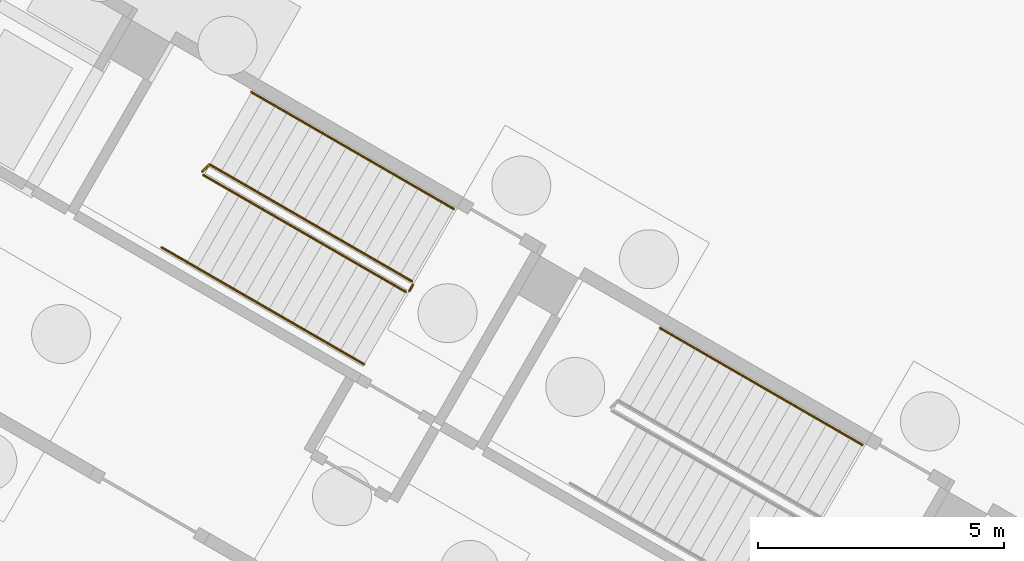
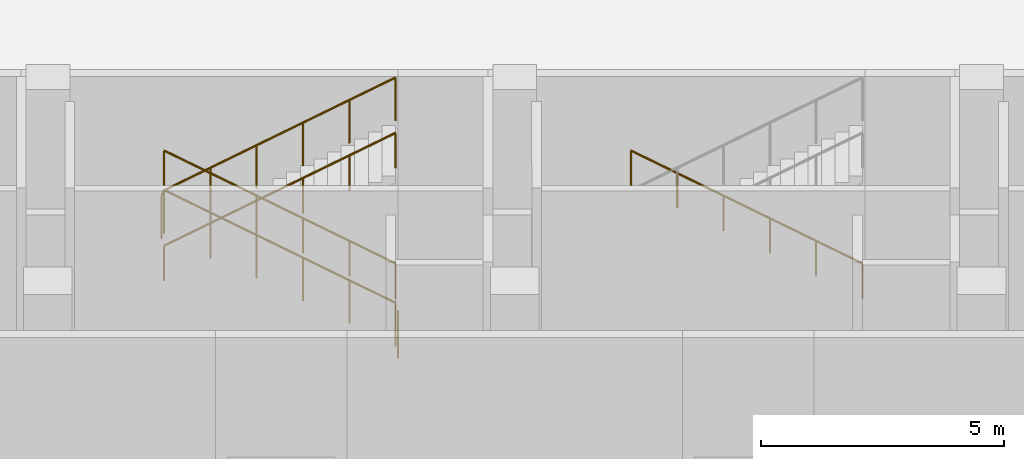
# One storey, part 36 of 38: 6 railings.
"""IFC4 building model written with IfcOpenShell, lengths in metres."""

import ifcopenshell
import ifcopenshell.guid

model = None  # the IFC model being written
_history = None  # IfcOwnerHistory: only IFC2X3 demands one
_inside = {}  # id of a spatial element -> (the spatial element, [elements in it])
_under = {}  # id of a project, library or spatial element -> (it, [spatial elements below it])
_declared = {}  # id of a project -> (the project, [libraries it declares])
_typed = {}  # id of a type object -> (the type object, [elements of that type])
_made_of = {}  # id of a material, layer set ... -> (it, [elements and type objects made of it])


def new_model(schema):
    """Start an empty IFC model of exactly this schema.

    Asked for "IFC4X3", IfcOpenShell would pick the latest addendum, in which some entities
    have other attributes; the version numbers below select the first issue.
    IFC2X3 requires an IfcOwnerHistory on every rooted entity: one is made here for all.
    """
    global model, _history
    if schema == "IFC4X3":
        model = ifcopenshell.file(schema_version=(4, 3, 0, 0))
    else:
        model = ifcopenshell.file(schema=schema)
    _inside.clear()
    _under.clear()
    _declared.clear()
    _typed.clear()
    _made_of.clear()
    _history = None
    if model.schema == "IFC2X3":
        org = make("IfcOrganization", Name="unknown")
        user = make(
            "IfcPersonAndOrganization",
            ThePerson=make("IfcPerson", FamilyName="unknown"),
            TheOrganization=org,
        )
        app = make(
            "IfcApplication",
            ApplicationDeveloper=org,
            Version="unknown",
            ApplicationFullName="unknown",
            ApplicationIdentifier="unknown",
        )
        _history = make(
            "IfcOwnerHistory",
            OwningUser=user,
            OwningApplication=app,
            ChangeAction="ADDED",
            CreationDate=0,
        )
    return model


def make(cls, **values):
    """One entity of the class cls with the attributes given. An attribute that is None is left unset."""
    return model.create_entity(
        cls, **{name: value for name, value in values.items() if value is not None}
    )


def rooted(cls, **values):
    """An entity with a GlobalId (a new one), such as an element, a storey or a relation."""
    return make(cls, GlobalId=ifcopenshell.guid.new(), OwnerHistory=_history, **values)


def si_unit(unit_type, name, prefix=None):
    """IfcSIUnit, for example si_unit("LENGTHUNIT", "METRE", prefix="MILLI")."""
    return make("IfcSIUnit", UnitType=unit_type, Prefix=prefix, Name=name)


def assignment(units):
    """IfcUnitAssignment: the units of a project."""
    return None if units is None else make("IfcUnitAssignment", Units=units)


def point(xyz):
    """IfcCartesianPoint."""
    return None if xyz is None else make("IfcCartesianPoint", Coordinates=xyz)


def direction(xyz):
    """IfcDirection."""
    return None if xyz is None else make("IfcDirection", DirectionRatios=xyz)


def frame(location, z_axis=None, x_axis=None):
    """IfcAxis2Placement3D, a coordinate frame: its origin and axes. An axis left out is left unset."""
    return make(
        "IfcAxis2Placement3D",
        Location=point(location),
        Axis=direction(z_axis),
        RefDirection=direction(x_axis),
    )


def frame_2d(location, x_axis=None):
    """IfcAxis2Placement2D, a coordinate frame in the plane: its origin and x axis."""
    return make(
        "IfcAxis2Placement2D", Location=point(location), RefDirection=direction(x_axis)
    )


def origin():
    """The frame at (0, 0, 0) with its axes left unset."""
    return frame((0.0, 0.0, 0.0))


def origin_2d():
    """The frame at (0, 0) in the plane with its x axis left unset."""
    return frame_2d((0.0, 0.0))


def place(relative_to, where):
    """IfcLocalPlacement: puts the frame where relative to a parent placement (None: the world)."""
    return make(
        "IfcLocalPlacement", PlacementRelTo=relative_to, RelativePlacement=where
    )


def context(
    kind, dimensions, precision=None, world=None, true_north=None, identifier=None
):
    """IfcGeometricRepresentationContext, for example the 3D "Model" context."""
    return make(
        "IfcGeometricRepresentationContext",
        ContextIdentifier=identifier,
        ContextType=kind,
        CoordinateSpaceDimension=dimensions,
        Precision=precision,
        WorldCoordinateSystem=world,
        TrueNorth=true_north,
    )


def subcontext(parent, identifier, kind, view, scale=None):
    """IfcGeometricRepresentationSubContext, for example "Body" below "Model"."""
    return make(
        "IfcGeometricRepresentationSubContext",
        ContextIdentifier=identifier,
        ContextType=kind,
        ParentContext=parent,
        TargetScale=scale,
        TargetView=view,
    )


def project(units=None, contexts=None):
    """IfcProject with its units and contexts."""
    return rooted(
        "IfcProject",
        Name="project",
        RepresentationContexts=contexts,
        UnitsInContext=assignment(units),
    )


def spatial(cls, under=None, at=None, **own):
    """A site, building, storey or space (cls), placed at a placement, below another one or the project."""
    s = rooted(cls, ObjectPlacement=at, **own)
    if under is not None:
        _under.setdefault(under.id(), (under, []))[1].append(s)
    return s


def profile(cls, at=None, kind="AREA", **sizes):
    """A parametric profile (cls). Its sizes go by their IFC names, for example OverallWidth=200.0."""
    return make(cls, ProfileType=kind, Position=at, **sizes)


def circle(**sizes):
    """IfcCircleProfileDef."""
    return profile("IfcCircleProfileDef", **sizes)


def extrude(swept, where, along, depth):
    """IfcExtrudedAreaSolid: the profile swept, set in the frame where, extruded along a direction by depth."""
    return make(
        "IfcExtrudedAreaSolid",
        SweptArea=swept,
        Position=where,
        ExtrudedDirection=direction(along),
        Depth=depth,
    )


def shape(context_of_items, identifier, shape_type, items):
    """IfcShapeRepresentation: the items that make up one representation, for example the "Body"."""
    return make(
        "IfcShapeRepresentation",
        ContextOfItems=context_of_items,
        RepresentationIdentifier=identifier,
        RepresentationType=shape_type,
        Items=items,
    )


def material(Name=None, Category=None):
    """IfcMaterial."""
    return make("IfcMaterial", Name=Name, Category=Category)


def made_of(thing, what):
    """Note that an element or type object is made of a material, layer set ...; save() writes the relation."""
    if what is not None:
        _made_of.setdefault(what.id(), (what, []))[1].append(thing)
    return thing


def type_object(cls, material=None, **own):
    """A type object (cls), such as IfcWallType, which elements share."""
    return made_of(rooted(cls, **own), material)


def element(
    cls,
    number,
    at=None,
    inside=None,
    cuts=None,
    type_object=None,
    material=None,
    context=None,
    identifier="Body",
    shape_type=None,
    held_by="IfcProductDefinitionShape",
    body=None,
    shapes=None,
    **own,
):
    """One element of the class cls, such as IfcWall. Its Tag is "e" and its number.

    at: its placement. inside: the storey or other place that contains it. cuts: it is an
    opening in that element (IfcRelVoidsElement). A single representation is given by context,
    identifier, shape_type and body (its items); several are given by shapes. held_by: the class
    of the entity that holds the representations. save() writes the other relations.
    """
    e = rooted(cls, Tag="e%d" % number, ObjectPlacement=at, **own)
    if body is not None:
        shapes = [shape(context, identifier, shape_type, body)]
    if shapes is not None:
        e.Representation = make(held_by, Representations=shapes)
    if inside is not None:
        _inside.setdefault(inside.id(), (inside, []))[1].append(e)
    if cuts is not None:
        rooted(
            "IfcRelVoidsElement", RelatingBuildingElement=cuts, RelatedOpeningElement=e
        )
    if type_object is not None:
        _typed.setdefault(type_object.id(), (type_object, []))[1].append(e)
    return made_of(e, material)


def aggregate(whole, parts):
    """IfcRelAggregates: a whole, such as a stair, and the parts it consists of."""
    return rooted("IfcRelAggregates", RelatingObject=whole, RelatedObjects=parts)


def save(model, path):
    """Write the relations noted so far, then the file.

    IfcRelAggregates (storeys below a building ...), IfcRelContainedInSpatialStructure (elements
    in a storey), IfcRelDefinesByType, IfcRelAssociatesMaterial and IfcRelDeclares: one each for
    every whole, place, type object, material and project.
    """
    for whole, parts in _under.values():
        aggregate(whole, parts)
    for where, things in _inside.values():
        rooted(
            "IfcRelContainedInSpatialStructure",
            RelatedElements=things,
            RelatingStructure=where,
        )
    for kind, things in _typed.values():
        rooted("IfcRelDefinesByType", RelatedObjects=things, RelatingType=kind)
    for what, things in _made_of.values():
        rooted("IfcRelAssociatesMaterial", RelatedObjects=things, RelatingMaterial=what)
    for by, libraries in _declared.values():
        rooted("IfcRelDeclares", RelatingContext=by, RelatedDefinitions=libraries)
    model.write(path)


model = new_model("IFC4")

# Units and contexts
model_context = context("Model", 3, precision=1e-05, world=origin(), true_north=direction((0.0, 1.0)))
body_context = subcontext(model_context, "Body", "Model", "MODEL_VIEW")
ifc_project = project(units=[si_unit("LENGTHUNIT", "METRE"), si_unit("AREAUNIT", "SQUARE_METRE"), si_unit("VOLUMEUNIT", "CUBIC_METRE"), si_unit("PLANEANGLEUNIT", "RADIAN"), si_unit("MASSUNIT", "GRAM", prefix="KILO")], contexts=[model_context])

# Site, building, storey
site_placement = place(None, origin())
site = spatial("IfcSite", under=ifc_project, at=site_placement, CompositionType="ELEMENT")
building_placement = place(site_placement, origin())
building = spatial("IfcBuilding", under=site, at=building_placement, Name="Mestral Congress Tower", CompositionType="ELEMENT")
storey_placement = place(building_placement, origin())
storey = spatial("IfcBuildingStorey", under=building, at=storey_placement, Name="L00", CompositionType="ELEMENT", Elevation=0.0)

# Railings
ifc_material_1 = material(Name="Steel balustrade", Category="steel")
railing_type_1 = type_object("IfcRailingType", Name="Podium stair guard 1100", PredefinedType="GUARDRAIL", material=ifc_material_1)
railing_1_placement = place(storey_placement, frame((-30.517578125, 61.498046875, 0.166748046875)))
element("IfcRailing", 1, at=railing_1_placement, inside=storey, type_object=railing_type_1, Name="L00 PS-W3 stair guard 1", PredefinedType="GUARDRAIL", context=body_context, shape_type="SweptSolid", body=[
    extrude(circle(Radius=0.02392578125, at=origin_2d()), frame((0.0, 0.0, 1.076171875), z_axis=(-0.744184523948, 0.429630485013, 0.51147535685), x_axis=(-0.499978485002, -0.866037825118, 0.0)), (0.0, 0.0, 1.0), 5.539306640625),
    extrude(circle(Radius=0.02392578125, at=origin_2d()), frame((-4.122314453125, 2.3798828125, 3.9091796875), z_axis=(-0.695164929852, -0.718850276695, 0.0), x_axis=(0.718850276695, -0.695164929852, 0.0)), (0.0, 0.0, 1.0), 0.2060546875),
    extrude(circle(Radius=0.02099609375, at=origin_2d()), origin(), (0.0, 0.0, 1.0), 1.052001953125),
    extrude(circle(Radius=0.02099609375, at=origin_2d()), frame((-0.824462890625, 0.47607421875, 0.566650390625)), (0.0, 0.0, 1.0), 1.052001953125),
    extrude(circle(Radius=0.02099609375, at=origin_2d()), frame((-1.64892578125, 0.951904296875, 1.13330078125)), (0.0, 0.0, 1.0), 1.052001953125),
    extrude(circle(Radius=0.02099609375, at=origin_2d()), frame((-2.473388671875, 1.427978515625, 1.699951171875)), (0.0, 0.0, 1.0), 1.052001953125),
    extrude(circle(Radius=0.02099609375, at=origin_2d()), frame((-3.2978515625, 1.90380859375, 2.2666015625)), (0.0, 0.0, 1.0), 1.052001953125),
    extrude(circle(Radius=0.02099609375, at=origin_2d()), frame((-4.122314453125, 2.3798828125, 2.833251953125)), (0.0, 0.0, 1.0), 1.052001953125),
    extrude(circle(Radius=0.02099609375, at=origin_2d()), frame((-4.265625, 2.231689453125, 2.833251953125)), (0.0, 0.0, 1.0), 1.052001953125),
])
railing_2_placement = place(storey_placement, frame((-34.764892578125, 63.661376953125, 3.166748046875)))
element("IfcRailing", 2, at=railing_2_placement, inside=storey, type_object=railing_type_1, Name="L00 PS-W3 stair guard 2", PredefinedType="GUARDRAIL", context=body_context, shape_type="SweptSolid", body=[
    extrude(circle(Radius=0.02392578125, at=origin_2d()), frame((0.0, 0.0, 1.076171875), z_axis=(0.744184523948, -0.429630485013, 0.51147535685), x_axis=(0.499978485002, 0.866037825118, 0.0)), (0.0, 0.0, 1.0), 5.539306640625),
    extrude(circle(Radius=0.02099609375, at=origin_2d()), origin(), (0.0, 0.0, 1.0), 1.052001953125),
    extrude(circle(Radius=0.02099609375, at=origin_2d()), frame((0.824462890625, -0.47607421875, 0.566650390625)), (0.0, 0.0, 1.0), 1.052001953125),
    extrude(circle(Radius=0.02099609375, at=origin_2d()), frame((1.64892578125, -0.951904296875, 1.13330078125)), (0.0, 0.0, 1.0), 1.052001953125),
    extrude(circle(Radius=0.02099609375, at=origin_2d()), frame((2.473388671875, -1.427978515625, 1.699951171875)), (0.0, 0.0, 1.0), 1.052001953125),
    extrude(circle(Radius=0.02099609375, at=origin_2d()), frame((3.2978515625, -1.90380859375, 2.2666015625)), (0.0, 0.0, 1.0), 1.052001953125),
    extrude(circle(Radius=0.02099609375, at=origin_2d()), frame((4.122314453125, -2.3798828125, 2.833251953125)), (0.0, 0.0, 1.0), 1.052001953125),
])
railing_3_placement = place(storey_placement, frame((-30.499267578125, 61.4296875, 0.0)))
element("IfcRailing", 3, at=railing_3_placement, inside=storey, type_object=railing_type_1, Name="L00 PS-W3 stair guard 3", PredefinedType="GUARDRAIL", context=body_context, shape_type="SweptSolid", body=[
    extrude(circle(Radius=0.02392578125, at=origin_2d()), frame((0.0, 0.0, 1.076171875), z_axis=(-0.499816412211, -0.866131372301, 0.0), x_axis=(0.866131372301, -0.499816412211, 0.0)), (0.0, 0.0, 1.0), 0.14990234375),
    extrude(circle(Radius=0.02099609375, at=origin_2d()), origin(), (0.0, 0.0, 1.0), 1.052001953125),
    extrude(circle(Radius=0.02099609375, at=origin_2d()), frame((-0.074951171875, -0.1298828125, 0.0)), (0.0, 0.0, 1.0), 1.052001953125),
])
ifc_material_2 = material(Name="Steel handrail", Category="steel")
railing_type_2 = type_object("IfcRailingType", Name="Podium stair handrail 900", PredefinedType="HANDRAIL", material=ifc_material_2)
railing_4_placement = place(storey_placement, frame((-21.353759765625, 58.170166015625, 0.166748046875)))
element("IfcRailing", 4, at=railing_4_placement, inside=storey, type_object=railing_type_2, Name="L00 PS-W2 stair handrail 1", PredefinedType="HANDRAIL", context=body_context, shape_type="SweptSolid", body=[
    extrude(circle(Radius=0.02392578125, at=origin_2d()), frame((0.0, 0.0, 0.8759765625), z_axis=(-0.744170432188, 0.42966642247, 0.511465671634), x_axis=(-0.5000169524, -0.866015616091, 0.0)), (0.0, 0.0, 1.0), 5.53955078125),
    extrude(circle(Radius=0.02099609375, at=origin_2d()), origin(), (0.0, 0.0, 1.0), 0.851806640625),
    extrude(circle(Radius=0.02099609375, at=origin_2d()), frame((-0.824462890625, 0.47607421875, 0.566650390625)), (0.0, 0.0, 1.0), 0.851806640625),
    extrude(circle(Radius=0.02099609375, at=origin_2d()), frame((-1.64892578125, 0.9521484375, 1.13330078125)), (0.0, 0.0, 1.0), 0.851806640625),
    extrude(circle(Radius=0.02099609375, at=origin_2d()), frame((-2.473388671875, 1.427978515625, 1.699951171875)), (0.0, 0.0, 1.0), 0.851806640625),
    extrude(circle(Radius=0.02099609375, at=origin_2d()), frame((-3.2978515625, 1.904052734375, 2.2666015625)), (0.0, 0.0, 1.0), 0.851806640625),
    extrude(circle(Radius=0.02099609375, at=origin_2d()), frame((-4.122314453125, 2.380126953125, 2.833251953125)), (0.0, 0.0, 1.0), 0.851806640625),
])
railing_5_placement = place(storey_placement, frame((-29.66748046875, 62.97021484375, 0.166748046875)))
element("IfcRailing", 5, at=railing_5_placement, inside=storey, type_object=railing_type_2, Name="L00 PS-W3 stair handrail 1", PredefinedType="HANDRAIL", context=body_context, shape_type="SweptSolid", body=[
    extrude(circle(Radius=0.02392578125, at=origin_2d()), frame((0.0, 0.0, 0.8759765625), z_axis=(-0.744184523948, 0.429630485013, 0.51147535685), x_axis=(-0.499978485002, -0.866037825118, 0.0)), (0.0, 0.0, 1.0), 5.539306640625),
    extrude(circle(Radius=0.02099609375, at=origin_2d()), origin(), (0.0, 0.0, 1.0), 0.851806640625),
    extrude(circle(Radius=0.02099609375, at=origin_2d()), frame((-0.824462890625, 0.47607421875, 0.566650390625)), (0.0, 0.0, 1.0), 0.851806640625),
    extrude(circle(Radius=0.02099609375, at=origin_2d()), frame((-1.64892578125, 0.951904296875, 1.13330078125)), (0.0, 0.0, 1.0), 0.851806640625),
    extrude(circle(Radius=0.02099609375, at=origin_2d()), frame((-2.473388671875, 1.427978515625, 1.699951171875)), (0.0, 0.0, 1.0), 0.851806640625),
    extrude(circle(Radius=0.02099609375, at=origin_2d()), frame((-3.2978515625, 1.90380859375, 2.2666015625)), (0.0, 0.0, 1.0), 0.851806640625),
    extrude(circle(Radius=0.02099609375, at=origin_2d()), frame((-4.122314453125, 2.3798828125, 2.833251953125)), (0.0, 0.0, 1.0), 0.851806640625),
])
railing_6_placement = place(storey_placement, frame((-35.61474609375, 62.189208984375, 3.166748046875)))
element("IfcRailing", 6, at=railing_6_placement, inside=storey, type_object=railing_type_2, Name="L00 PS-W3 stair handrail 2", PredefinedType="HANDRAIL", context=body_context, shape_type="SweptSolid", body=[
    extrude(circle(Radius=0.02392578125, at=origin_2d()), frame((0.0, 0.0, 0.8759765625), z_axis=(0.744184523948, -0.429630485013, 0.51147535685), x_axis=(0.499978485002, 0.866037825118, 0.0)), (0.0, 0.0, 1.0), 5.539306640625),
    extrude(circle(Radius=0.02099609375, at=origin_2d()), origin(), (0.0, 0.0, 1.0), 0.851806640625),
    extrude(circle(Radius=0.02099609375, at=origin_2d()), frame((0.824462890625, -0.47607421875, 0.566650390625)), (0.0, 0.0, 1.0), 0.851806640625),
    extrude(circle(Radius=0.02099609375, at=origin_2d()), frame((1.64892578125, -0.951904296875, 1.13330078125)), (0.0, 0.0, 1.0), 0.851806640625),
    extrude(circle(Radius=0.02099609375, at=origin_2d()), frame((2.473388671875, -1.427978515625, 1.699951171875)), (0.0, 0.0, 1.0), 0.851806640625),
    extrude(circle(Radius=0.02099609375, at=origin_2d()), frame((3.2978515625, -1.90380859375, 2.2666015625)), (0.0, 0.0, 1.0), 0.851806640625),
    extrude(circle(Radius=0.02099609375, at=origin_2d()), frame((4.122314453125, -2.3798828125, 2.833251953125)), (0.0, 0.0, 1.0), 0.851806640625),
])

save(model, "model.ifc")
